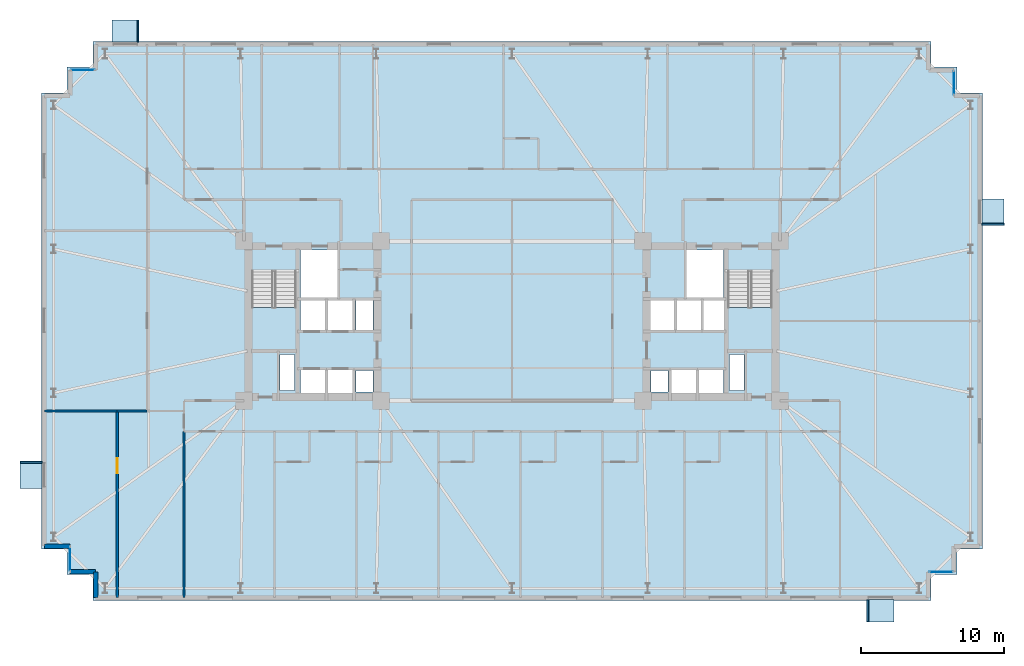
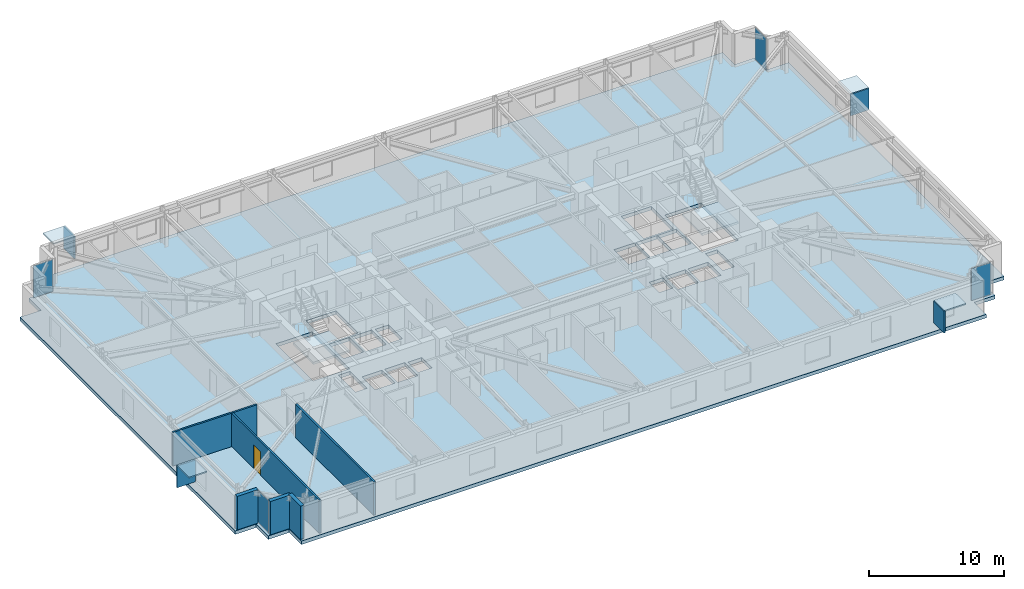
# One storey, part 13 of 20: 12 plates, 7 walls, 3 slabs, 1 door, 1 opening, 6 elements without a shape of their own.
"""IFC4 building model written with IfcOpenShell, lengths in metres."""

import ifcopenshell
import ifcopenshell.guid

model = None  # the IFC model being written
_history = None  # IfcOwnerHistory: only IFC2X3 demands one
_inside = {}  # id of a spatial element -> (the spatial element, [elements in it])
_under = {}  # id of a project, library or spatial element -> (it, [spatial elements below it])
_declared = {}  # id of a project -> (the project, [libraries it declares])
_typed = {}  # id of a type object -> (the type object, [elements of that type])
_made_of = {}  # id of a material, layer set ... -> (it, [elements and type objects made of it])


def new_model(schema):
    """Start an empty IFC model of exactly this schema.

    Asked for "IFC4X3", IfcOpenShell would pick the latest addendum, in which some entities
    have other attributes; the version numbers below select the first issue.
    IFC2X3 requires an IfcOwnerHistory on every rooted entity: one is made here for all.
    """
    global model, _history
    if schema == "IFC4X3":
        model = ifcopenshell.file(schema_version=(4, 3, 0, 0))
    else:
        model = ifcopenshell.file(schema=schema)
    _inside.clear()
    _under.clear()
    _declared.clear()
    _typed.clear()
    _made_of.clear()
    _history = None
    if model.schema == "IFC2X3":
        org = make("IfcOrganization", Name="unknown")
        user = make(
            "IfcPersonAndOrganization",
            ThePerson=make("IfcPerson", FamilyName="unknown"),
            TheOrganization=org,
        )
        app = make(
            "IfcApplication",
            ApplicationDeveloper=org,
            Version="unknown",
            ApplicationFullName="unknown",
            ApplicationIdentifier="unknown",
        )
        _history = make(
            "IfcOwnerHistory",
            OwningUser=user,
            OwningApplication=app,
            ChangeAction="ADDED",
            CreationDate=0,
        )
    return model


def make(cls, **values):
    """One entity of the class cls with the attributes given. An attribute that is None is left unset."""
    return model.create_entity(
        cls, **{name: value for name, value in values.items() if value is not None}
    )


def rooted(cls, **values):
    """An entity with a GlobalId (a new one), such as an element, a storey or a relation."""
    return make(cls, GlobalId=ifcopenshell.guid.new(), OwnerHistory=_history, **values)


def si_unit(unit_type, name, prefix=None):
    """IfcSIUnit, for example si_unit("LENGTHUNIT", "METRE", prefix="MILLI")."""
    return make("IfcSIUnit", UnitType=unit_type, Prefix=prefix, Name=name)


def assignment(units):
    """IfcUnitAssignment: the units of a project."""
    return None if units is None else make("IfcUnitAssignment", Units=units)


def point(xyz):
    """IfcCartesianPoint."""
    return None if xyz is None else make("IfcCartesianPoint", Coordinates=xyz)


def direction(xyz):
    """IfcDirection."""
    return None if xyz is None else make("IfcDirection", DirectionRatios=xyz)


def frame(location, z_axis=None, x_axis=None):
    """IfcAxis2Placement3D, a coordinate frame: its origin and axes. An axis left out is left unset."""
    return make(
        "IfcAxis2Placement3D",
        Location=point(location),
        Axis=direction(z_axis),
        RefDirection=direction(x_axis),
    )


def frame_2d(location, x_axis=None):
    """IfcAxis2Placement2D, a coordinate frame in the plane: its origin and x axis."""
    return make(
        "IfcAxis2Placement2D", Location=point(location), RefDirection=direction(x_axis)
    )


def origin():
    """The frame at (0, 0, 0) with its axes left unset."""
    return frame((0.0, 0.0, 0.0))


def origin_2d():
    """The frame at (0, 0) in the plane with its x axis left unset."""
    return frame_2d((0.0, 0.0))


def place(relative_to, where):
    """IfcLocalPlacement: puts the frame where relative to a parent placement (None: the world)."""
    return make(
        "IfcLocalPlacement", PlacementRelTo=relative_to, RelativePlacement=where
    )


def context(
    kind, dimensions, precision=None, world=None, true_north=None, identifier=None
):
    """IfcGeometricRepresentationContext, for example the 3D "Model" context."""
    return make(
        "IfcGeometricRepresentationContext",
        ContextIdentifier=identifier,
        ContextType=kind,
        CoordinateSpaceDimension=dimensions,
        Precision=precision,
        WorldCoordinateSystem=world,
        TrueNorth=true_north,
    )


def subcontext(parent, identifier, kind, view, scale=None):
    """IfcGeometricRepresentationSubContext, for example "Body" below "Model"."""
    return make(
        "IfcGeometricRepresentationSubContext",
        ContextIdentifier=identifier,
        ContextType=kind,
        ParentContext=parent,
        TargetScale=scale,
        TargetView=view,
    )


def project(units=None, contexts=None):
    """IfcProject with its units and contexts."""
    return rooted(
        "IfcProject",
        Name="project",
        RepresentationContexts=contexts,
        UnitsInContext=assignment(units),
    )


def spatial(cls, under=None, at=None, **own):
    """A site, building, storey or space (cls), placed at a placement, below another one or the project."""
    s = rooted(cls, ObjectPlacement=at, **own)
    if under is not None:
        _under.setdefault(under.id(), (under, []))[1].append(s)
    return s


def polyline(points):
    """IfcPolyline through the points."""
    return make("IfcPolyline", Points=[point(p) for p in points])


def profile(cls, at=None, kind="AREA", **sizes):
    """A parametric profile (cls). Its sizes go by their IFC names, for example OverallWidth=200.0."""
    return make(cls, ProfileType=kind, Position=at, **sizes)


def rectangle(**sizes):
    """IfcRectangleProfileDef."""
    return profile("IfcRectangleProfileDef", **sizes)


def outline(outer, holes=None, kind="AREA"):
    """IfcArbitraryClosedProfileDef: a profile drawn as a closed curve; with holes, ...WithVoids."""
    if holes is None:
        return make("IfcArbitraryClosedProfileDef", ProfileType=kind, OuterCurve=outer)
    return make(
        "IfcArbitraryProfileDefWithVoids",
        ProfileType=kind,
        OuterCurve=outer,
        InnerCurves=holes,
    )


def extrude(swept, where, along, depth):
    """IfcExtrudedAreaSolid: the profile swept, set in the frame where, extruded along a direction by depth."""
    return make(
        "IfcExtrudedAreaSolid",
        SweptArea=swept,
        Position=where,
        ExtrudedDirection=direction(along),
        Depth=depth,
    )


def shape(context_of_items, identifier, shape_type, items):
    """IfcShapeRepresentation: the items that make up one representation, for example the "Body"."""
    return make(
        "IfcShapeRepresentation",
        ContextOfItems=context_of_items,
        RepresentationIdentifier=identifier,
        RepresentationType=shape_type,
        Items=items,
    )


def material(Name=None, Category=None):
    """IfcMaterial."""
    return make("IfcMaterial", Name=Name, Category=Category)


def layer(
    of_material, thickness, ventilated=None, Name=None, Category=None, Priority=None
):
    """IfcMaterialLayer: one layer of a wall or slab, of a material (None: an air gap)."""
    return make(
        "IfcMaterialLayer",
        Material=of_material,
        LayerThickness=thickness,
        IsVentilated=ventilated,
        Name=Name,
        Category=Category,
        Priority=Priority,
    )


def layer_set(layers, Name=None):
    """IfcMaterialLayerSet."""
    return make("IfcMaterialLayerSet", MaterialLayers=layers, LayerSetName=Name)


def made_of(thing, what):
    """Note that an element or type object is made of a material, layer set ...; save() writes the relation."""
    if what is not None:
        _made_of.setdefault(what.id(), (what, []))[1].append(thing)
    return thing


def type_object(cls, material=None, **own):
    """A type object (cls), such as IfcWallType, which elements share."""
    return made_of(rooted(cls, **own), material)


def element(
    cls,
    number,
    at=None,
    inside=None,
    cuts=None,
    type_object=None,
    material=None,
    context=None,
    identifier="Body",
    shape_type=None,
    held_by="IfcProductDefinitionShape",
    body=None,
    shapes=None,
    **own,
):
    """One element of the class cls, such as IfcWall. Its Tag is "e" and its number.

    at: its placement. inside: the storey or other place that contains it. cuts: it is an
    opening in that element (IfcRelVoidsElement). A single representation is given by context,
    identifier, shape_type and body (its items); several are given by shapes. held_by: the class
    of the entity that holds the representations. save() writes the other relations.
    """
    e = rooted(cls, Tag="e%d" % number, ObjectPlacement=at, **own)
    if body is not None:
        shapes = [shape(context, identifier, shape_type, body)]
    if shapes is not None:
        e.Representation = make(held_by, Representations=shapes)
    if inside is not None:
        _inside.setdefault(inside.id(), (inside, []))[1].append(e)
    if cuts is not None:
        rooted(
            "IfcRelVoidsElement", RelatingBuildingElement=cuts, RelatedOpeningElement=e
        )
    if type_object is not None:
        _typed.setdefault(type_object.id(), (type_object, []))[1].append(e)
    return made_of(e, material)


def fill(opening, filler):
    """IfcRelFillsElement: the door or window that sits in an opening."""
    return rooted(
        "IfcRelFillsElement",
        RelatingOpeningElement=opening,
        RelatedBuildingElement=filler,
    )


def aggregate(whole, parts):
    """IfcRelAggregates: a whole, such as a stair, and the parts it consists of."""
    return rooted("IfcRelAggregates", RelatingObject=whole, RelatedObjects=parts)


def save(model, path):
    """Write the relations noted so far, then the file.

    IfcRelAggregates (storeys below a building ...), IfcRelContainedInSpatialStructure (elements
    in a storey), IfcRelDefinesByType, IfcRelAssociatesMaterial and IfcRelDeclares: one each for
    every whole, place, type object, material and project.
    """
    for whole, parts in _under.values():
        aggregate(whole, parts)
    for where, things in _inside.values():
        rooted(
            "IfcRelContainedInSpatialStructure",
            RelatedElements=things,
            RelatingStructure=where,
        )
    for kind, things in _typed.values():
        rooted("IfcRelDefinesByType", RelatedObjects=things, RelatingType=kind)
    for what, things in _made_of.values():
        rooted("IfcRelAssociatesMaterial", RelatedObjects=things, RelatingMaterial=what)
    for by, libraries in _declared.values():
        rooted("IfcRelDeclares", RelatingContext=by, RelatedDefinitions=libraries)
    model.write(path)


model = new_model("IFC4")

# Units and contexts
model_context = context("Model", 3, precision=1e-05, world=origin(), true_north=direction((0.0, 1.0)))
body_context = subcontext(model_context, "Body", "Model", "MODEL_VIEW")
ifc_project = project(units=[si_unit("LENGTHUNIT", "METRE"), si_unit("AREAUNIT", "SQUARE_METRE"), si_unit("VOLUMEUNIT", "CUBIC_METRE"), si_unit("PLANEANGLEUNIT", "RADIAN"), si_unit("MASSUNIT", "GRAM", prefix="KILO")], contexts=[model_context])

# Site, building, storey
site_placement = place(None, origin())
site = spatial("IfcSite", under=ifc_project, at=site_placement, CompositionType="ELEMENT")
building_placement = place(site_placement, origin())
building = spatial("IfcBuilding", under=site, at=building_placement, Name="Qobustan Lattice House", CompositionType="ELEMENT")
storey_placement = place(building_placement, frame((0.0, 0.0, 63.85009765625)))
storey = spatial("IfcBuildingStorey", under=building, at=storey_placement, Name="L17", CompositionType="ELEMENT", Elevation=63.85009765625)

# Curtain wall, plate
ifc_material_1 = material(Name="Anodised aluminium and low-E glazing", Category="aluminium")
ifc_layer_1 = layer(ifc_material_1, 0.219970703125)
ifc_layer_set_1 = layer_set([ifc_layer_1], Name="Anodised aluminium and low-E glazing")
curtain_wall_type = type_object("IfcCurtainWallType", Name="CW-FAC-01", PredefinedType="USERDEFINED", material=ifc_layer_set_1)
curtain_wall_1_placement = place(storey_placement, origin())
curtain_wall_1 = element("IfcCurtainWall", 1, at=curtain_wall_1_placement, inside=storey, type_object=curtain_wall_type, Name="L17 serrated corner faceted glazing 3", ObjectType="CURTAIN WALL", PredefinedType="USERDEFINED")
ifc_material_2 = material(Name="Clear low-E laminated glass", Category="glass")
ifc_layer_2 = layer(ifc_material_2, 0.031982421875)
ifc_layer_set_2 = layer_set([ifc_layer_2], Name="Clear low-E laminated glass")
plate_type_1 = type_object("IfcPlateType", Name="CWP-VISION-32", PredefinedType="CURTAIN_PANEL", material=ifc_layer_set_2)
plate_1_placement = place(storey_placement, frame((-31.0, -16.699951171875, 0.06494140625), z_axis=(0.0, 0.0, 1.0), x_axis=(0.0, 1.0, 0.0)))
plate_1 = element("IfcPlate", 2, at=plate_1_placement, type_object=plate_type_1, Name="CW-F1 panel 1.1", PredefinedType="CURTAIN_PANEL", context=body_context, shape_type="SweptSolid", body=[
    extrude(rectangle(XDim=1.659912109375, YDim=0.031982421875, at=origin_2d()), origin(), (0.0, 0.0, 1.0), 2.905029296875),
])
aggregate(curtain_wall_1, [plate_1])

curtain_wall_2_placement = place(storey_placement, origin())
curtain_wall_2 = element("IfcCurtainWall", 3, at=curtain_wall_2_placement, inside=storey, type_object=curtain_wall_type, Name="L17 serrated corner faceted glazing 8", ObjectType="CURTAIN WALL", PredefinedType="USERDEFINED")
plate_2_placement = place(storey_placement, frame((-30.10009765625, 17.60009765625, 0.06494140625), z_axis=(0.0, 0.0, 1.0), x_axis=(1.0, 0.0, 0.0)))
plate_2 = element("IfcPlate", 4, at=plate_2_placement, type_object=plate_type_1, Name="CW-F1 panel 1.1", PredefinedType="CURTAIN_PANEL", context=body_context, shape_type="SweptSolid", body=[
    extrude(rectangle(XDim=1.659912109375, YDim=0.031982421875, at=origin_2d()), origin(), (0.0, 0.0, 1.0), 2.905029296875),
])
aggregate(curtain_wall_2, [plate_2])

curtain_wall_3_placement = place(storey_placement, origin())
curtain_wall_3 = element("IfcCurtainWall", 5, at=curtain_wall_3_placement, inside=storey, type_object=curtain_wall_type, Name="L17 serrated corner faceted glazing 13", ObjectType="CURTAIN WALL", PredefinedType="USERDEFINED")
plate_3_placement = place(storey_placement, frame((31.0, 16.699951171875, 0.06494140625), z_axis=(0.0, 0.0, 1.0), x_axis=(0.0, -1.0, 0.0)))
plate_3 = element("IfcPlate", 6, at=plate_3_placement, type_object=plate_type_1, Name="CW-F1 panel 1.1", PredefinedType="CURTAIN_PANEL", context=body_context, shape_type="SweptSolid", body=[
    extrude(rectangle(XDim=1.659912109375, YDim=0.031982421875, at=origin_2d()), origin(), (0.0, 0.0, 1.0), 2.905029296875),
])
aggregate(curtain_wall_3, [plate_3])

curtain_wall_4_placement = place(storey_placement, origin())
curtain_wall_4 = element("IfcCurtainWall", 7, at=curtain_wall_4_placement, inside=storey, type_object=curtain_wall_type, Name="L17 serrated corner faceted glazing 18", ObjectType="CURTAIN WALL", PredefinedType="USERDEFINED")
plate_4_placement = place(storey_placement, frame((30.10009765625, -17.60009765625, 0.06494140625), z_axis=(0.0, 0.0, 1.0), x_axis=(-1.0, 0.0, 0.0)))
plate_4 = element("IfcPlate", 8, at=plate_4_placement, type_object=plate_type_1, Name="CW-F1 panel 1.1", PredefinedType="CURTAIN_PANEL", context=body_context, shape_type="SweptSolid", body=[
    extrude(rectangle(XDim=1.659912109375, YDim=0.031982421875, at=origin_2d()), origin(), (0.0, 0.0, 1.0), 2.905029296875),
])
aggregate(curtain_wall_4, [plate_4])

# Plates
ifc_material_3 = material(Name="Qobustan limestone GFRC", Category="masonry")
ifc_layer_3 = layer(ifc_material_3, 0.1201171875)
ifc_layer_set_3 = layer_set([ifc_layer_3], Name="Qobustan limestone GFRC")
plate_type_2 = type_object("IfcPlateType", Name="SHD-HOOD-BROW", PredefinedType="USERDEFINED", material=ifc_layer_set_3)
plate_5_placement = place(storey_placement, frame((-33.72998046875, -10.800048828125, 2.699951171875), z_axis=(0.0, 0.0, 1.0), x_axis=(0.0, 1.0, 0.0)))
element("IfcPlate", 9, at=plate_5_placement, inside=storey, type_object=plate_type_2, Name="L17 splayed Qobustan stone hood brow", ObjectType="SUNSHADE", PredefinedType="USERDEFINED", context=body_context, shape_type="SweptSolid", body=[
    extrude(rectangle(XDim=1.889892578125, YDim=1.56005859375, at=origin_2d()), origin(), (0.0, 0.0, 1.0), 0.1201171875),
])
plate_6_placement = place(storey_placement, frame((-33.72998046875, -9.9150390625, 0.7900390625), z_axis=(0.0, 0.0, 1.0), x_axis=(0.0, 1.0, 0.0)))
element("IfcPlate", 10, at=plate_6_placement, inside=storey, type_object=plate_type_2, Name="L17 splayed Qobustan stone hood cheek", ObjectType="SUNSHADE", PredefinedType="USERDEFINED", context=body_context, shape_type="SweptSolid", body=[
    extrude(rectangle(XDim=0.1201171875, YDim=1.56005859375, at=origin_2d()), origin(), (0.0, 0.0, 1.0), 1.969970703125),
])
plate_7_placement = place(storey_placement, frame((-27.1201171875, 20.330078125, 2.699951171875), z_axis=(0.0, 0.0, 1.0), x_axis=(1.0, 0.0, 0.0)))
element("IfcPlate", 11, at=plate_7_placement, inside=storey, type_object=plate_type_2, Name="L17 splayed Qobustan stone hood brow", ObjectType="SUNSHADE", PredefinedType="USERDEFINED", context=body_context, shape_type="SweptSolid", body=[
    extrude(rectangle(XDim=1.889892578125, YDim=1.56005859375, at=origin_2d()), origin(), (0.0, 0.0, 1.0), 0.1201171875),
])
plate_8_placement = place(storey_placement, frame((-26.235107421875, 20.330078125, 0.7900390625), z_axis=(0.0, 0.0, 1.0), x_axis=(1.0, 0.0, 0.0)))
element("IfcPlate", 12, at=plate_8_placement, inside=storey, type_object=plate_type_2, Name="L17 splayed Qobustan stone hood cheek", ObjectType="SUNSHADE", PredefinedType="USERDEFINED", context=body_context, shape_type="SweptSolid", body=[
    extrude(rectangle(XDim=0.1201171875, YDim=1.56005859375, at=origin_2d()), origin(), (0.0, 0.0, 1.0), 1.969970703125),
])
plate_9_placement = place(storey_placement, frame((33.72998046875, 7.639892578125, 2.699951171875), z_axis=(0.0, 0.0, 1.0), x_axis=(0.0, -1.0, 0.0)))
element("IfcPlate", 13, at=plate_9_placement, inside=storey, type_object=plate_type_2, Name="L17 splayed Qobustan stone hood brow", ObjectType="SUNSHADE", PredefinedType="USERDEFINED", context=body_context, shape_type="SweptSolid", body=[
    extrude(rectangle(XDim=1.840087890625, YDim=1.56005859375, at=origin_2d()), origin(), (0.0, 0.0, 1.0), 0.1201171875),
])
plate_10_placement = place(storey_placement, frame((33.72998046875, 6.780029296875, 0.7900390625), z_axis=(0.0, 0.0, 1.0), x_axis=(0.0, -1.0, 0.0)))
element("IfcPlate", 14, at=plate_10_placement, inside=storey, type_object=plate_type_2, Name="L17 splayed Qobustan stone hood cheek", ObjectType="SUNSHADE", PredefinedType="USERDEFINED", context=body_context, shape_type="SweptSolid", body=[
    extrude(rectangle(XDim=0.1201171875, YDim=1.56005859375, at=origin_2d()), origin(), (0.0, 0.0, 1.0), 1.969970703125),
])
plate_11_placement = place(storey_placement, frame((25.840087890625, -20.330078125, 2.699951171875), z_axis=(0.0, 0.0, 1.0), x_axis=(-1.0, 0.0, 0.0)))
element("IfcPlate", 15, at=plate_11_placement, inside=storey, type_object=plate_type_2, Name="L17 splayed Qobustan stone hood brow", ObjectType="SUNSHADE", PredefinedType="USERDEFINED", context=body_context, shape_type="SweptSolid", body=[
    extrude(rectangle(XDim=1.889892578125, YDim=1.56005859375, at=origin_2d()), origin(), (0.0, 0.0, 1.0), 0.1201171875),
])
plate_12_placement = place(storey_placement, frame((24.955078125, -20.330078125, 0.7900390625), z_axis=(0.0, 0.0, 1.0), x_axis=(-1.0, 0.0, 0.0)))
element("IfcPlate", 16, at=plate_12_placement, inside=storey, type_object=plate_type_2, Name="L17 splayed Qobustan stone hood cheek", ObjectType="SUNSHADE", PredefinedType="USERDEFINED", context=body_context, shape_type="SweptSolid", body=[
    extrude(rectangle(XDim=0.1201171875, YDim=1.56005859375, at=origin_2d()), origin(), (0.0, 0.0, 1.0), 1.969970703125),
])

# Slab
ifc_material_4 = material(Name="Concrete C40/50", Category="concrete")
ifc_layer_4 = layer(ifc_material_4, 0.31494140625)
ifc_layer_set_4 = layer_set([ifc_layer_4], Name="Concrete C40/50")
slab_type_1 = type_object("IfcSlabType", Name="SLB-FLR-315", PredefinedType="FLOOR", material=ifc_layer_set_4)
slab_1_placement = place(storey_placement, frame((0.0, 0.0, -0.315185546875)))
element("IfcSlab", 17, at=slab_1_placement, inside=storey, type_object=slab_type_1, Name="L17 structural floor slab", PredefinedType="FLOOR", context=body_context, shape_type="SweptSolid", body=[
    extrude(outline(polyline([(-29.39990234375, -19.60009765625), (29.39990234375, -19.60009765625), (29.39990234375, -17.800048828125), (31.199951171875, -17.800048828125), (31.199951171875, -16.0), (33.0, -16.0), (33.0, 16.0), (31.199951171875, 16.0), (31.199951171875, 17.800048828125), (29.39990234375, 17.800048828125), (29.39990234375, 19.60009765625), (-29.39990234375, 19.60009765625), (-29.39990234375, 17.800048828125), (-31.199951171875, 17.800048828125), (-31.199951171875, 16.0), (-33.0, 16.0), (-33.0, -16.0), (-31.199951171875, -16.0), (-31.199951171875, -17.800048828125), (-29.39990234375, -17.800048828125), (-29.39990234375, -19.60009765625)]), holes=[polyline([(-18.25, -2.050048828125), (-18.25, 3.489990234375), (-15.1298828125, 3.489990234375), (-15.1298828125, -2.050048828125), (-18.25, -2.050048828125)]), polyline([(15.1298828125, -2.050048828125), (15.1298828125, 3.489990234375), (18.25, 3.489990234375), (18.25, -2.050048828125), (15.1298828125, -2.050048828125)]), polyline([(-14.820068359375, 1.64990234375), (-14.820068359375, 4.9599609375), (-12.25, 4.9599609375), (-12.25, 1.64990234375), (-14.820068359375, 1.64990234375)]), polyline([(12.25, 1.64990234375), (12.25, 4.9599609375), (14.820068359375, 4.9599609375), (14.820068359375, 1.64990234375), (12.25, 1.64990234375)]), polyline([(-16.260009765625, -4.8798828125), (-16.260009765625, -2.360107421875), (-15.260009765625, -2.360107421875), (-15.260009765625, -4.8798828125), (-16.260009765625, -4.8798828125)]), polyline([(15.260009765625, -4.8798828125), (15.260009765625, -2.360107421875), (16.260009765625, -2.360107421875), (16.260009765625, -4.8798828125), (15.260009765625, -4.8798828125)]), polyline([(-14.85009765625, -5.35009765625), (-14.85009765625, -3.419921875), (-13.1201171875, -3.419921875), (-13.1201171875, -5.35009765625), (-14.85009765625, -5.35009765625)]), polyline([(-12.919921875, -5.35009765625), (-12.919921875, -3.419921875), (-11.179931640625, -3.419921875), (-11.179931640625, -5.35009765625), (-12.919921875, -5.35009765625)]), polyline([(-14.85009765625, -0.679931640625), (-14.85009765625, 1.47998046875), (-13.1201171875, 1.47998046875), (-13.1201171875, -0.679931640625), (-14.85009765625, -0.679931640625)]), polyline([(-12.919921875, -0.679931640625), (-12.919921875, 1.47998046875), (-11.179931640625, 1.47998046875), (-11.179931640625, -0.679931640625), (-12.919921875, -0.679931640625)]), polyline([(-10.93994140625, -5.0), (-10.93994140625, -3.47998046875), (-9.760009765625, -3.47998046875), (-9.760009765625, -5.0), (-10.93994140625, -5.0)]), polyline([(-10.93994140625, -0.6201171875), (-10.93994140625, 1.419921875), (-9.760009765625, 1.419921875), (-9.760009765625, -0.6201171875), (-10.93994140625, -0.6201171875)]), polyline([(11.179931640625, -5.35009765625), (11.179931640625, -3.419921875), (12.919921875, -3.419921875), (12.919921875, -5.35009765625), (11.179931640625, -5.35009765625)]), polyline([(13.1201171875, -5.35009765625), (13.1201171875, -3.419921875), (14.85009765625, -3.419921875), (14.85009765625, -5.35009765625), (13.1201171875, -5.35009765625)]), polyline([(9.760009765625, -5.0), (9.760009765625, -3.47998046875), (10.93994140625, -3.47998046875), (10.93994140625, -5.0), (9.760009765625, -5.0)]), polyline([(13.360107421875, -0.679931640625), (13.360107421875, 1.47998046875), (14.97998046875, 1.47998046875), (14.97998046875, -0.679931640625), (13.360107421875, -0.679931640625)]), polyline([(9.6201171875, -0.679931640625), (9.6201171875, 1.47998046875), (11.43994140625, 1.47998046875), (11.43994140625, -0.679931640625), (9.6201171875, -0.679931640625)]), polyline([(11.5, -0.679931640625), (11.5, 1.47998046875), (13.320068359375, 1.47998046875), (13.320068359375, -0.679931640625), (11.5, -0.679931640625)])]), origin(), (0.0, 0.0, 1.0), 0.315185546875),
])

# Stair, slab
ifc_material_5 = material(Name="Concrete C40/50", Category="concrete")
stair_type = type_object("IfcStairType", Name="STR-CORE-DOGLEG", PredefinedType="HALF_TURN_STAIR", material=ifc_material_5)
stair_1_placement = place(storey_placement, origin())
stair_1 = element("IfcStair", 18, at=stair_1_placement, inside=storey, type_object=stair_type, Name="L17 West protected exit stair ST-W1", PredefinedType="HALF_TURN_STAIR")
ifc_material_6 = material(Name="Concrete C40/50", Category="concrete")
ifc_layer_5 = layer(ifc_material_6, 0.199951171875)
ifc_layer_set_5 = layer_set([ifc_layer_5], Name="Concrete C40/50")
slab_type_2 = type_object("IfcSlabType", Name="SLB-LANDING-200", PredefinedType="LANDING", material=ifc_layer_set_5)
slab_2_placement = place(storey_placement, frame((0.0, 0.0, 1.474853515625)))
slab_2 = element("IfcSlab", 19, at=slab_2_placement, type_object=slab_type_2, Name="ST-W1 landing 1", PredefinedType="LANDING", context=body_context, shape_type="SweptSolid", body=[
    extrude(outline(polyline([(-18.25, 0.93505859375), (-18.25, -2.050048828125), (-15.1298828125, -2.050048828125), (-15.1298828125, 0.93505859375), (-18.25, 0.93505859375)])), origin(), (0.0, 0.0, 1.0), 0.199951171875),
])
aggregate(stair_1, [slab_2])

stair_2_placement = place(storey_placement, origin())
stair_2 = element("IfcStair", 20, at=stair_2_placement, inside=storey, type_object=stair_type, Name="L17 East protected exit stair ST-E1", PredefinedType="HALF_TURN_STAIR")
slab_3_placement = place(storey_placement, frame((0.0, 0.0, 1.474853515625)))
slab_3 = element("IfcSlab", 21, at=slab_3_placement, type_object=slab_type_2, Name="ST-E1 landing 1", PredefinedType="LANDING", context=body_context, shape_type="SweptSolid", body=[
    extrude(outline(polyline([(15.1298828125, 0.93505859375), (15.1298828125, -2.050048828125), (18.25, -2.050048828125), (18.25, 0.93505859375), (15.1298828125, 0.93505859375)])), origin(), (0.0, 0.0, 1.0), 0.199951171875),
])
aggregate(stair_2, [slab_3])

# Walls
ifc_material_7 = material(Name="Precast concrete C40/50", Category="concrete")
ifc_layer_6 = layer(ifc_material_7, 0.320068359375)
ifc_layer_set_6 = layer_set([ifc_layer_6], Name="Precast concrete C40/50")
wall_type_1 = type_object("IfcWallType", Name="WAL-EXT-STONE-320", PredefinedType="SOLIDWALL", material=ifc_layer_set_6)
wall_1_placement = place(storey_placement, frame((-29.199951171875, -19.39990234375, 0.0), z_axis=(0.0, 0.0, 1.0), x_axis=(0.0, 1.0, 0.0)))
element("IfcWall", 22, at=wall_1_placement, inside=storey, type_object=wall_type_1, Name="L17 exterior limestone-clad wall 1", PredefinedType="SOLIDWALL", context=body_context, shape_type="SweptSolid", body=[
    extrude(rectangle(XDim=1.7998046875, YDim=0.320068359375, at=frame_2d((0.89990234375, 0.0))), origin(), (0.0, 0.0, 1.0), 3.034912109375),
])
for number, where, z_axis, x_axis, name in (
    (23, (-29.199951171875, -17.60009765625, 0.0), (0.0, 0.0, 1.0), (-1.0, 0.0, 0.0), "L17 exterior limestone-clad wall 2"),
    (24, (-31.0, -15.800048828125, 0.0), (0.0, 0.0, 1.0), (-1.0, 0.0, 0.0), "L17 exterior limestone-clad wall 4"),
):
    element("IfcWall", number, at=place(storey_placement, frame(where, z_axis=z_axis, x_axis=x_axis)), inside=storey, type_object=wall_type_1, Name=name, PredefinedType="SOLIDWALL", context=body_context, shape_type="SweptSolid", body=[
        extrude(rectangle(XDim=1.800048828125, YDim=0.320068359375, at=frame_2d((0.89990234375, 0.0))), origin(), (0.0, 0.0, 1.0), 3.034912109375),
    ])

# Wall, opening, door
ifc_material_8 = material(Name="Acoustic twin-stud gypsum partition", Category="gypsum")
ifc_layer_7 = layer(ifc_material_8, 0.14990234375)
ifc_layer_set_7 = layer_set([ifc_layer_7], Name="Acoustic twin-stud gypsum partition")
wall_type_2 = type_object("IfcWallType", Name="WAL-PART-150", PredefinedType="PARTITIONING", material=ifc_layer_set_7)
wall_2_placement = place(storey_placement, frame((-27.68994140625, -6.326904296875, 0.0), z_axis=(0.0, 0.0, 1.0), x_axis=(0.0, -1.0, 0.0)))
wall_2 = element("IfcWall", 25, at=wall_2_placement, inside=storey, type_object=wall_type_2, Name="L17 interior partition 77", PredefinedType="PARTITIONING", context=body_context, shape_type="SweptSolid", body=[
    extrude(rectangle(XDim=13.072998046875, YDim=0.14990234375, at=frame_2d((6.53662109375, 0.0))), origin(), (0.0, 0.0, 1.0), 3.034912109375),
])
opening_placement = place(wall_2_placement, frame((3.295654296875, 0.0, 0.0)))
opening = element("IfcOpeningElement", 26, at=opening_placement, cuts=wall_2, Name="Opening ID-02", PredefinedType="OPENING", context=body_context, shape_type="SweptSolid", body=[
    extrude(rectangle(XDim=1.050048828125, YDim=2.14990234375, at=frame_2d((0.52490234375, 1.074951171875))), frame((0.0, 0.0849609375, 0.0), z_axis=(0.0, -1.0, 0.0), x_axis=(1.0, 0.0, 0.0)), (0.0, 0.0, 1.0), 0.169921875),
])
ifc_material_9 = material(Name="Persian walnut timber and steel frame door", Category="steel")
door_type = type_object("IfcDoorType", Name="DOR-STUDY-1050x2150", OperationType="NOTDEFINED", PredefinedType="DOOR", material=ifc_material_9)
door_placement = place(opening_placement, origin())
door = element("IfcDoor", 27, at=door_placement, inside=storey, type_object=door_type, Name="L17 Focus study room W1A to Focus study room W1B door", OperationType="SINGLE_SWING_LEFT", OverallHeight=2.14990234375, OverallWidth=1.050048828125, PredefinedType="DOOR", context=body_context, shape_type="SweptSolid", body=[
    extrude(rectangle(XDim=1.050048828125, YDim=2.14990234375, at=frame_2d((0.52490234375, 1.074951171875))), frame((0.0, 0.02490234375, 0.0), z_axis=(0.0, -1.0, 0.0), x_axis=(1.0, 0.0, 0.0)), (0.0, 0.0, 1.0), 0.050048828125),
])
fill(opening, door)

# Walls
wall_3_placement = place(storey_placement, frame((-32.800048828125, -6.326904296875, 0.0), z_axis=(0.0, 0.0, 1.0), x_axis=(1.0, 0.0, 0.0)))
element("IfcWall", 28, at=wall_3_placement, inside=storey, type_object=wall_type_2, Name="L17 interior partition 78", PredefinedType="PARTITIONING", context=body_context, shape_type="SweptSolid", body=[
    extrude(rectangle(XDim=5.110107421875, YDim=0.14990234375, at=frame_2d((2.55517578125, 0.0))), origin(), (0.0, 0.0, 1.0), 3.034912109375),
])
wall_4_placement = place(storey_placement, frame((-27.68994140625, -6.326904296875, 0.0), z_axis=(0.0, 0.0, 1.0), x_axis=(1.0, 0.0, 0.0)))
element("IfcWall", 29, at=wall_4_placement, inside=storey, type_object=wall_type_2, Name="L17 interior partition 79", PredefinedType="PARTITIONING", context=body_context, shape_type="SweptSolid", body=[
    extrude(rectangle(XDim=2.099853515625, YDim=0.14990234375, at=frame_2d((1.0498046875, 0.0))), origin(), (0.0, 0.0, 1.0), 3.034912109375),
])
wall_5_placement = place(storey_placement, frame((-23.0, -7.75, 0.0), z_axis=(0.0, 0.0, 1.0), x_axis=(0.0, -1.0, 0.0)))
element("IfcWall", 30, at=wall_5_placement, inside=storey, type_object=wall_type_2, Name="L17 interior partition 81", PredefinedType="PARTITIONING", context=body_context, shape_type="SweptSolid", body=[
    extrude(rectangle(XDim=11.64990234375, YDim=0.14990234375, at=frame_2d((5.824951171875, 0.0))), origin(), (0.0, 0.0, 1.0), 3.034912109375),
])

save(model, "model.ifc")
